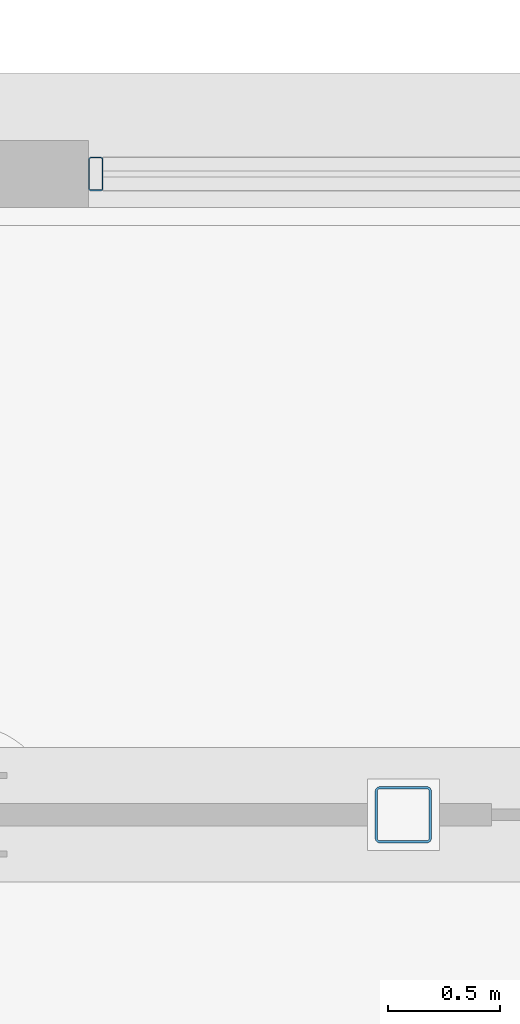
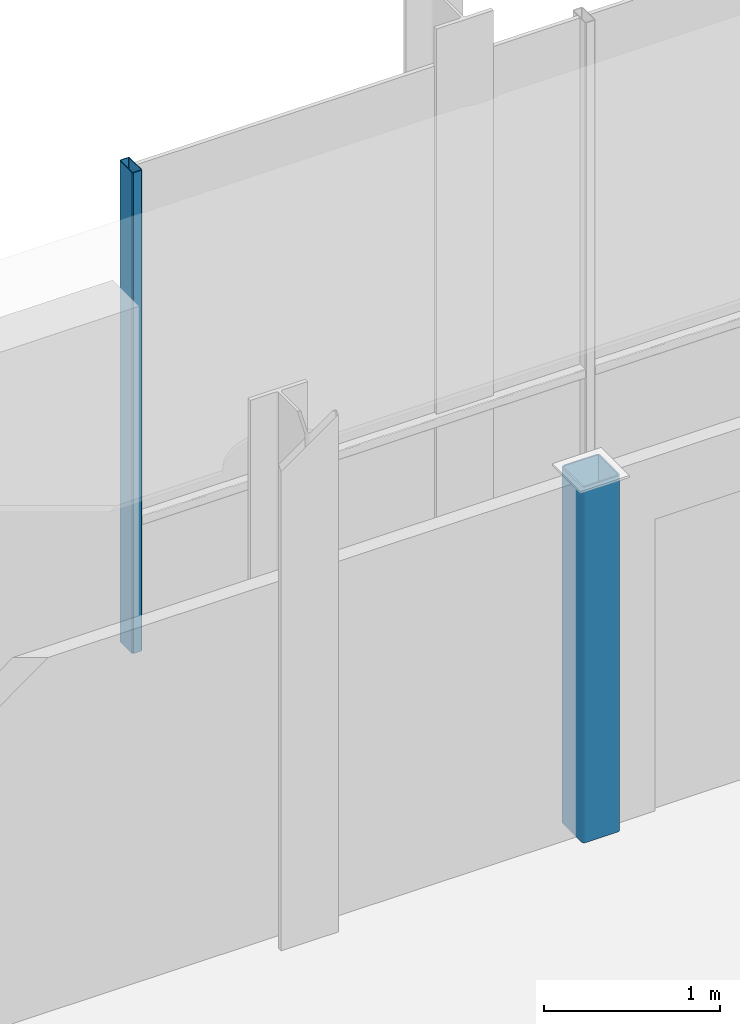
# One storey, part 10 of 35: 2 members, 1 element without a shape of its own.
"""IFC4 building model written with IfcOpenShell, lengths in metres."""

from ifc_helpers import new_model, si_unit, direction, frame, origin, origin_2d, place, context, subcontext, project, spatial, hollow_rectangle, extrude, material, layer, layer_set, material_profile, profile_set, type_object, element, aggregate, save


model = new_model("IFC4")

# Units and contexts
model_context = context("Model", 3, precision=1e-05, world=origin(), true_north=direction((0.0, 1.0)))
body_context = subcontext(model_context, "Body", "Model", "MODEL_VIEW")
ifc_project = project(units=[si_unit("LENGTHUNIT", "METRE"), si_unit("AREAUNIT", "SQUARE_METRE"), si_unit("VOLUMEUNIT", "CUBIC_METRE"), si_unit("PLANEANGLEUNIT", "RADIAN"), si_unit("MASSUNIT", "GRAM", prefix="KILO")], contexts=[model_context])

# Site, building, storey
site_placement = place(None, origin())
site = spatial("IfcSite", under=ifc_project, at=site_placement, CompositionType="ELEMENT")
building_placement = place(site_placement, origin())
building = spatial("IfcBuilding", under=site, at=building_placement, Name="Brevholm Reach", CompositionType="ELEMENT")
storey_placement = place(building_placement, frame((0.0, 0.0, 214.39990234375)))
storey = spatial("IfcBuildingStorey", under=building, at=storey_placement, Name="L65", CompositionType="ELEMENT", Elevation=214.39990234375)

# Curtain wall, member
ifc_material_1 = material(Name="Dark Anodised Aluminium 6063-T6 and Solar-Control Glass", Category="aluminium")
ifc_layer = layer(ifc_material_1, 0.14990234375)
ifc_layer_set = layer_set([ifc_layer], Name="Dark Anodised Aluminium 6063-T6 and Solar-Control Glass")
curtain_wall_type = type_object("IfcCurtainWallType", Name="CW-01", PredefinedType="NOTDEFINED", material=ifc_layer_set)
curtain_wall_placement = place(storey_placement, origin())
curtain_wall = element("IfcCurtainWall", 1, at=curtain_wall_placement, inside=storey, type_object=curtain_wall_type, Name="L65 Curtain Wall CW-01", PredefinedType="NOTDEFINED")
ifc_material_2 = material(Name="Dark Anodised Aluminium 6063-T6", Category="aluminium")
ifc_material_profile_1 = material_profile(ifc_material_2, hollow_rectangle(XDim=0.06494140625, YDim=0.14990234375, WallThickness=0.0048828125, InnerFilletRadius=0.0048828125, OuterFilletRadius=0.010009765625, at=origin_2d()), Name="RHS 150x65x5")
ifc_profile_set_1 = profile_set([ifc_material_profile_1], Name="Dark Anodised Aluminium 6063-T6")
member_type_1 = type_object("IfcMemberType", Name="CWM-150", PredefinedType="MULLION", material=ifc_profile_set_1)
member_1_placement = place(storey_placement, frame((27.83251953125, 26.35009765625, 0.0), z_axis=(0.0, 0.0, 1.0), x_axis=(1.0, 0.0, 0.0)))
member_1 = element("IfcMember", 2, at=member_1_placement, type_object=member_type_1, Name="CM-150 Mullion 1", PredefinedType="MULLION", context=body_context, shape_type="SweptSolid", body=[
    extrude(hollow_rectangle(XDim=0.06494140625, YDim=0.14990234375, WallThickness=0.0048828125, InnerFilletRadius=0.0048828125, OuterFilletRadius=0.010009765625, at=origin_2d()), origin(), (0.0, 0.0, 1.0), 3.330078125),
])
aggregate(curtain_wall, [member_1])

# Member
ifc_material_3 = material(Name="Structural Steel S355J2H", Category="steel")
ifc_material_profile_2 = material_profile(ifc_material_3, hollow_rectangle(XDim=0.25, YDim=0.25, WallThickness=0.010009765625, InnerFilletRadius=0.010009765625, OuterFilletRadius=0.02001953125, at=origin_2d()), Name="SHS 250x250x10")
ifc_profile_set_2 = profile_set([ifc_material_profile_2], Name="Structural Steel S355J2H")
member_type_2 = type_object("IfcMemberType", Name="MEM-ST-SHS250", PredefinedType="STRUT", material=ifc_profile_set_2)
member_2_placement = place(storey_placement, frame((29.199951171875, 23.5, 0.0), z_axis=(0.0, 0.0, 1.0), x_axis=(1.0, 0.0, 0.0)))
element("IfcMember", 3, at=member_2_placement, inside=storey, type_object=member_type_2, Name="L65 Portal Vierendeel Post 2", PredefinedType="STRUT", context=body_context, shape_type="SweptSolid", body=[
    extrude(hollow_rectangle(XDim=0.25, YDim=0.25, WallThickness=0.010009765625, InnerFilletRadius=0.010009765625, OuterFilletRadius=0.02001953125, at=origin_2d()), origin(), (0.0, 0.0, 1.0), 2.464111328125),
])

save(model, "model.ifc")
